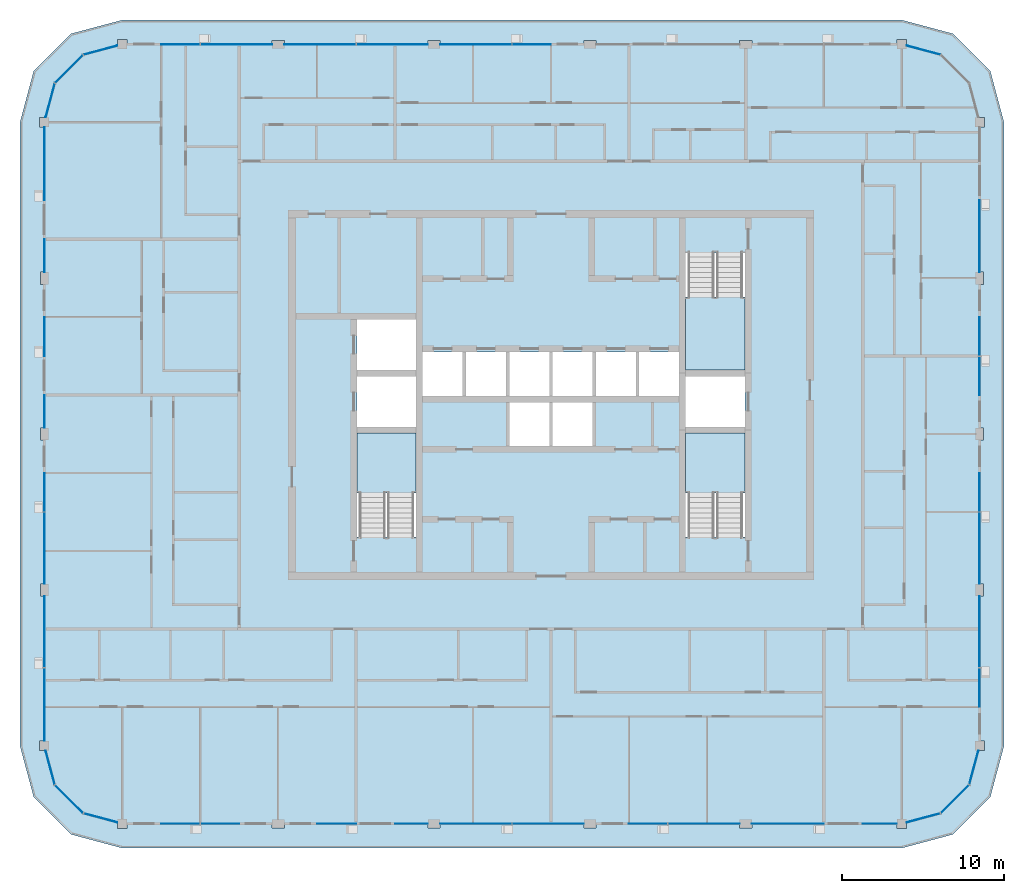
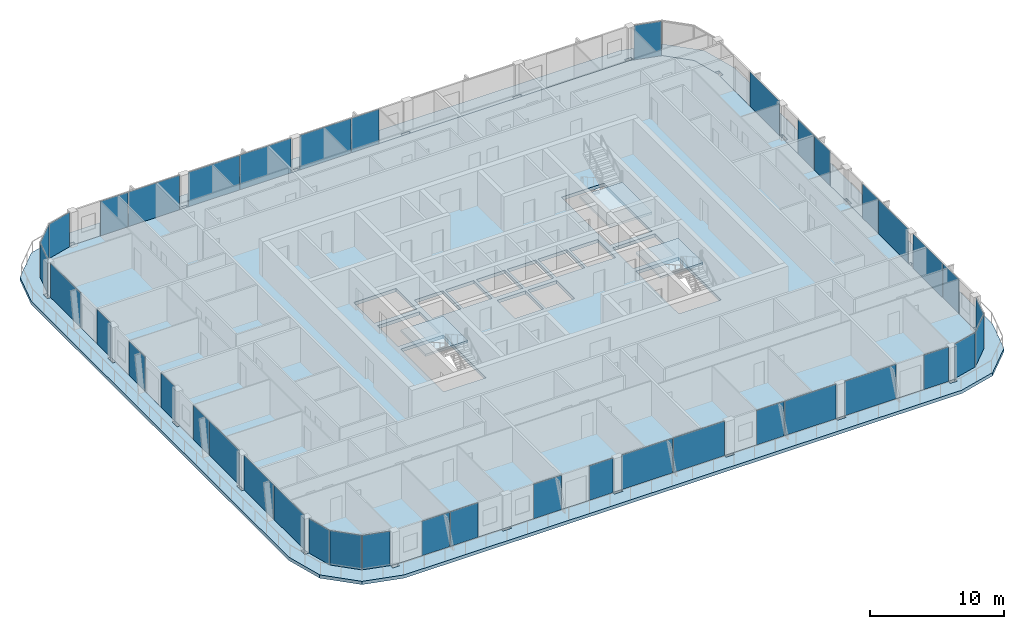
# One storey, part 7 of 21: 41 plates, 5 slabs, 23 elements without a shape of their own.
"""IFC4 building model written with IfcOpenShell, lengths in metres."""

from ifc_helpers import new_model, si_unit, direction, frame, origin, origin_2d, place, context, subcontext, project, spatial, polyline, rectangle, outline, extrude, material, layer, layer_set, type_object, element, aggregate, save


model = new_model("IFC4")

# Units and contexts
model_context = context("Model", 3, precision=1e-05, world=origin(), true_north=direction((0.0, 1.0)))
body_context = subcontext(model_context, "Body", "Model", "MODEL_VIEW")
ifc_project = project(units=[si_unit("LENGTHUNIT", "METRE"), si_unit("AREAUNIT", "SQUARE_METRE"), si_unit("VOLUMEUNIT", "CUBIC_METRE"), si_unit("PLANEANGLEUNIT", "RADIAN"), si_unit("MASSUNIT", "GRAM", prefix="KILO")], contexts=[model_context])

# Site, building, storey
site_placement = place(None, origin())
site = spatial("IfcSite", under=ifc_project, at=site_placement, CompositionType="ELEMENT")
building_placement = place(site_placement, origin())
building = spatial("IfcBuilding", under=site, at=building_placement, Name="Madar Terraces", CompositionType="ELEMENT")
storey_placement = place(building_placement, frame((0.0, 0.0, 272.10009765625)))
storey = spatial("IfcBuildingStorey", under=building, at=storey_placement, Name="L71", CompositionType="ELEMENT", Elevation=272.10009765625)

# Slabs
ifc_material_1 = material(Name="Concrete C50/60", Category="concrete")
ifc_layer_1 = layer(ifc_material_1, 0.300048828125)
ifc_layer_set_1 = layer_set([ifc_layer_1], Name="Balcony band 300")
slab_type_1 = type_object("IfcSlabType", Name="Balcony band 300", PredefinedType="FLOOR", material=ifc_layer_set_1)
slab_1_placement = place(storey_placement, frame((0.0, 0.0, -0.300048828125)))
element("IfcSlab", 1, at=slab_1_placement, inside=storey, type_object=slab_type_1, Name="Balcony band", PredefinedType="FLOOR", context=body_context, shape_type="SweptSolid", body=[
    extrude(outline(polyline([(4.800048828125, -1.5), (1.64990234375, -0.656005859375), (-0.656005859375, 1.64990234375), (-1.5, 4.800048828125), (-1.5, 43.199951171875), (-0.656005859375, 46.35009765625), (1.64990234375, 48.656005859375), (4.800048828125, 49.5), (52.800048828125, 49.5), (55.949951171875, 48.656005859375), (58.256103515625, 46.35009765625), (59.10009765625, 43.199951171875), (59.10009765625, 4.800048828125), (58.256103515625, 1.64990234375), (55.949951171875, -0.656005859375), (52.800048828125, -1.5), (4.800048828125, -1.5)]), holes=[polyline([(5.10009765625, -0.300048828125), (5.10009765625, 0.0), (14.02490234375, 0.0), (14.02490234375, -0.25), (14.77490234375, -0.25), (14.77490234375, 0.0), (23.625, 0.0), (23.625, -0.25), (24.375, -0.25), (24.375, 0.0), (33.22509765625, 0.0), (33.22509765625, -0.25), (33.97509765625, -0.25), (33.97509765625, 0.0), (42.824951171875, 0.0), (42.824951171875, -0.25), (43.574951171875, -0.25), (43.574951171875, 0.0), (52.5, 0.0), (52.5, -0.300048828125), (53.10009765625, -0.300048828125), (53.10009765625, 0.080322265625), (55.199951171875, 0.64306640625), (56.956787109375, 2.39990234375), (57.51953125, 4.5), (57.89990234375, 4.5), (57.89990234375, 5.10009765625), (57.60009765625, 5.10009765625), (57.60009765625, 14.02490234375), (57.85009765625, 14.02490234375), (57.85009765625, 14.77490234375), (57.60009765625, 14.77490234375), (57.60009765625, 23.625), (57.85009765625, 23.625), (57.85009765625, 24.375), (57.60009765625, 24.375), (57.60009765625, 33.22509765625), (57.85009765625, 33.22509765625), (57.85009765625, 33.97509765625), (57.60009765625, 33.97509765625), (57.60009765625, 42.89990234375), (57.89990234375, 42.89990234375), (57.89990234375, 43.5), (57.51953125, 43.5), (56.956787109375, 45.60009765625), (55.199951171875, 47.35693359375), (53.10009765625, 47.919677734375), (53.10009765625, 48.300048828125), (52.5, 48.300048828125), (52.5, 48.0), (43.574951171875, 48.0), (43.574951171875, 48.25), (42.824951171875, 48.25), (42.824951171875, 48.0), (33.97509765625, 48.0), (33.97509765625, 48.25), (33.22509765625, 48.25), (33.22509765625, 48.0), (24.375, 48.0), (24.375, 48.25), (23.625, 48.25), (23.625, 48.0), (14.77490234375, 48.0), (14.77490234375, 48.25), (14.02490234375, 48.25), (14.02490234375, 48.0), (5.10009765625, 48.0), (5.10009765625, 48.300048828125), (4.5, 48.300048828125), (4.5, 47.919677734375), (2.39990234375, 47.35693359375), (0.64306640625, 45.60009765625), (0.080322265625, 43.5), (-0.300048828125, 43.5), (-0.300048828125, 42.89990234375), (0.0, 42.89990234375), (0.0, 33.97509765625), (-0.25, 33.97509765625), (-0.25, 33.22509765625), (0.0, 33.22509765625), (0.0, 24.375), (-0.25, 24.375), (-0.25, 23.625), (0.0, 23.625), (0.0, 14.77490234375), (-0.25, 14.77490234375), (-0.25, 14.02490234375), (0.0, 14.02490234375), (0.0, 5.10009765625), (-0.300048828125, 5.10009765625), (-0.300048828125, 4.5), (0.080322265625, 4.5), (0.64306640625, 2.39990234375), (2.39990234375, 0.64306640625), (4.5, 0.080322265625), (4.5, -0.300048828125), (5.10009765625, -0.300048828125)])]), origin(), (0.0, 0.0, 1.0), 0.300048828125),
])
ifc_material_2 = material(Name="Concrete C50/60", Category="concrete")
ifc_layer_2 = layer(ifc_material_2, 0.300048828125)
ifc_layer_set_2 = layer_set([ifc_layer_2], Name="FS2 PT flat slab 300")
slab_type_2 = type_object("IfcSlabType", Name="FS2 PT flat slab 300", PredefinedType="FLOOR", material=ifc_layer_set_2)
slab_2_placement = place(storey_placement, frame((0.0, 0.0, -0.300048828125)))
element("IfcSlab", 2, at=slab_2_placement, inside=storey, type_object=slab_type_2, Name="Floor slab L71 (1)", PredefinedType="FLOOR", context=body_context, shape_type="SweptSolid", body=[
    extrude(outline(polyline([(52.800048828125, 0.0), (55.199951171875, 0.64306640625), (56.95703125, 2.39990234375), (57.60009765625, 4.800048828125), (57.60009765625, 43.199951171875), (56.95703125, 45.60009765625), (55.199951171875, 47.35693359375), (52.800048828125, 48.0), (4.800048828125, 48.0), (2.39990234375, 47.35693359375), (0.64306640625, 45.60009765625), (0.0, 43.199951171875), (0.0, 4.800048828125), (0.64306640625, 2.39990234375), (2.39990234375, 0.64306640625), (4.800048828125, 0.0), (52.800048828125, 0.0)]), holes=[polyline([(22.89990234375, 17.64990234375), (19.25, 17.64990234375), (19.25, 24.050048828125), (22.89990234375, 24.050048828125), (22.89990234375, 17.64990234375)]), polyline([(28.63330078125, 23.25), (28.63330078125, 25.949951171875), (31.10009765625, 25.949951171875), (31.10009765625, 23.25), (28.63330078125, 23.25)]), polyline([(19.25, 24.449951171875), (19.25, 27.550048828125), (22.89990234375, 27.550048828125), (22.89990234375, 24.449951171875), (19.25, 24.449951171875)]), polyline([(23.300048828125, 26.35009765625), (23.300048828125, 29.050048828125), (25.7666015625, 29.050048828125), (25.7666015625, 26.35009765625), (23.300048828125, 26.35009765625)]), polyline([(25.966552734375, 26.35009765625), (25.966552734375, 29.050048828125), (28.433349609375, 29.050048828125), (28.433349609375, 26.35009765625), (25.966552734375, 26.35009765625)]), polyline([(28.63330078125, 26.35009765625), (28.63330078125, 29.050048828125), (31.10009765625, 29.050048828125), (31.10009765625, 26.35009765625), (28.63330078125, 26.35009765625)]), polyline([(19.25, 27.949951171875), (19.25, 31.050048828125), (22.89990234375, 31.050048828125), (22.89990234375, 27.949951171875), (19.25, 27.949951171875)]), polyline([(43.14990234375, 17.64990234375), (39.5, 17.64990234375), (39.5, 24.050048828125), (43.14990234375, 24.050048828125), (43.14990234375, 17.64990234375)]), polyline([(31.300048828125, 23.25), (31.300048828125, 25.949951171875), (33.7666015625, 25.949951171875), (33.7666015625, 23.25), (31.300048828125, 23.25)]), polyline([(39.5, 24.449951171875), (39.5, 27.550048828125), (43.14990234375, 27.550048828125), (43.14990234375, 24.449951171875), (39.5, 24.449951171875)]), polyline([(31.300048828125, 26.35009765625), (31.300048828125, 29.050048828125), (33.7666015625, 29.050048828125), (33.7666015625, 26.35009765625), (31.300048828125, 26.35009765625)]), polyline([(33.966552734375, 26.35009765625), (33.966552734375, 29.050048828125), (36.433349609375, 29.050048828125), (36.433349609375, 26.35009765625), (33.966552734375, 26.35009765625)]), polyline([(36.63330078125, 26.35009765625), (36.63330078125, 29.050048828125), (39.10009765625, 29.050048828125), (39.10009765625, 26.35009765625), (36.63330078125, 26.35009765625)]), polyline([(39.5, 27.949951171875), (39.5, 35.14990234375), (43.14990234375, 35.14990234375), (43.14990234375, 27.949951171875), (39.5, 27.949951171875)])]), origin(), (0.0, 0.0, 1.0), 0.300048828125),
])

# Curtain wall, plates
ifc_material_3 = material(Name="Glass, ceramic frit dark grey, with black aluminium frame", Category="aluminium")
ifc_layer_3 = layer(ifc_material_3, 0.199951171875)
ifc_layer_set_3 = layer_set([ifc_layer_3], Name="Facade curtain wall, fritted glass")
curtain_wall_type = type_object("IfcCurtainWallType", Name="Facade curtain wall, fritted glass", PredefinedType="NOTDEFINED", material=ifc_layer_set_3)
curtain_wall_1_placement = place(storey_placement, origin())
curtain_wall_1 = element("IfcCurtainWall", 3, at=curtain_wall_1_placement, inside=storey, type_object=curtain_wall_type, Name="Outer skin curtain wall south bay 1", PredefinedType="NOTDEFINED")
ifc_material_4 = material(Name="Glass, ceramic frit dark grey", Category="glass")
ifc_layer_4 = layer(ifc_material_4, 0.028076171875)
ifc_layer_set_4 = layer_set([ifc_layer_4], Name="Facade glass panel 28")
plate_type = type_object("IfcPlateType", Name="Facade glass panel 28", PredefinedType="CURTAIN_PANEL", material=ifc_layer_set_4)
plate_1_placement = place(storey_placement, frame((8.385009765625, 0.0, 0.0), z_axis=(0.0, 0.0, 1.0), x_axis=(1.0, 0.0, 0.0)))
plate_1 = element("IfcPlate", 4, at=plate_1_placement, type_object=plate_type, Name="Panel 1", PredefinedType="CURTAIN_PANEL", context=body_context, shape_type="SweptSolid", body=[
    extrude(rectangle(XDim=2.3701171875, YDim=0.028076171875, at=origin_2d()), origin(), (0.0, 0.0, 1.0), 3.139892578125),
])
plate_2_placement = place(storey_placement, frame((10.81494140625, 0.0, 0.0), z_axis=(0.0, 0.0, 1.0), x_axis=(1.0, 0.0, 0.0)))
plate_2 = element("IfcPlate", 5, at=plate_2_placement, type_object=plate_type, Name="Panel 2", PredefinedType="CURTAIN_PANEL", context=body_context, shape_type="SweptSolid", body=[
    extrude(rectangle(XDim=2.3701171875, YDim=0.028076171875, at=origin_2d()), origin(), (0.0, 0.0, 1.0), 3.139892578125),
])
aggregate(curtain_wall_1, [plate_1, plate_2])

curtain_wall_2_placement = place(storey_placement, origin())
curtain_wall_2 = element("IfcCurtainWall", 6, at=curtain_wall_2_placement, inside=storey, type_object=curtain_wall_type, Name="Outer skin curtain wall south bay 2", PredefinedType="NOTDEFINED")
plate_3_placement = place(storey_placement, frame((18.0, 0.0, 0.0), z_axis=(0.0, 0.0, 1.0), x_axis=(1.0, 0.0, 0.0)))
plate_3 = element("IfcPlate", 7, at=plate_3_placement, type_object=plate_type, Name="Panel 1", PredefinedType="CURTAIN_PANEL", context=body_context, shape_type="SweptSolid", body=[
    extrude(rectangle(XDim=2.39990234375, YDim=0.028076171875, at=origin_2d()), origin(), (0.0, 0.0, 1.0), 3.139892578125),
])
plate_4_placement = place(storey_placement, frame((22.612548828125, 0.0, 0.0), z_axis=(0.0, 0.0, 1.0), x_axis=(1.0, 0.0, 0.0)))
plate_4 = element("IfcPlate", 8, at=plate_4_placement, type_object=plate_type, Name="Panel 2", PredefinedType="CURTAIN_PANEL", context=body_context, shape_type="SweptSolid", body=[
    extrude(rectangle(XDim=2.02490234375, YDim=0.028076171875, at=origin_2d()), origin(), (0.0, 0.0, 1.0), 3.139892578125),
])
aggregate(curtain_wall_2, [plate_3, plate_4])

curtain_wall_3_placement = place(storey_placement, origin())
curtain_wall_3 = element("IfcCurtainWall", 9, at=curtain_wall_3_placement, inside=storey, type_object=curtain_wall_type, Name="Outer skin curtain wall south bay 3", PredefinedType="NOTDEFINED")
plate_5_placement = place(storey_placement, frame((26.572509765625, 0.0, 0.0), z_axis=(0.0, 0.0, 1.0), x_axis=(1.0, 0.0, 0.0)))
plate_5 = element("IfcPlate", 10, at=plate_5_placement, type_object=plate_type, Name="Panel 1", PredefinedType="CURTAIN_PANEL", context=body_context, shape_type="SweptSolid", body=[
    extrude(rectangle(XDim=4.39501953125, YDim=0.028076171875, at=origin_2d()), origin(), (0.0, 0.0, 1.0), 3.139892578125),
])
plate_6_placement = place(storey_placement, frame((31.027587890625, 0.0, 0.0), z_axis=(0.0, 0.0, 1.0), x_axis=(1.0, 0.0, 0.0)))
plate_6 = element("IfcPlate", 11, at=plate_6_placement, type_object=plate_type, Name="Panel 2", PredefinedType="CURTAIN_PANEL", context=body_context, shape_type="SweptSolid", body=[
    extrude(rectangle(XDim=4.39501953125, YDim=0.028076171875, at=origin_2d()), origin(), (0.0, 0.0, 1.0), 3.139892578125),
])
aggregate(curtain_wall_3, [plate_5, plate_6])

curtain_wall_4_placement = place(storey_placement, origin())
curtain_wall_4 = element("IfcCurtainWall", 12, at=curtain_wall_4_placement, inside=storey, type_object=curtain_wall_type, Name="Outer skin curtain wall south bay 4", PredefinedType="NOTDEFINED")
plate_7_placement = place(storey_placement, frame((37.18505859375, 0.0, 0.0), z_axis=(0.0, 0.0, 1.0), x_axis=(1.0, 0.0, 0.0)))
plate_7 = element("IfcPlate", 13, at=plate_7_placement, type_object=plate_type, Name="Panel 1", PredefinedType="CURTAIN_PANEL", context=body_context, shape_type="SweptSolid", body=[
    extrude(rectangle(XDim=2.3701171875, YDim=0.028076171875, at=origin_2d()), origin(), (0.0, 0.0, 1.0), 3.139892578125),
])
plate_8_placement = place(storey_placement, frame((40.62744140625, 0.0, 0.0), z_axis=(0.0, 0.0, 1.0), x_axis=(1.0, 0.0, 0.0)))
plate_8 = element("IfcPlate", 14, at=plate_8_placement, type_object=plate_type, Name="Panel 2", PredefinedType="CURTAIN_PANEL", context=body_context, shape_type="SweptSolid", body=[
    extrude(rectangle(XDim=4.39501953125, YDim=0.028076171875, at=origin_2d()), origin(), (0.0, 0.0, 1.0), 3.139892578125),
])
aggregate(curtain_wall_4, [plate_7, plate_8])

curtain_wall_5_placement = place(storey_placement, origin())
curtain_wall_5 = element("IfcCurtainWall", 15, at=curtain_wall_5_placement, inside=storey, type_object=curtain_wall_type, Name="Outer skin curtain wall south bay 5", PredefinedType="NOTDEFINED")
plate_9_placement = place(storey_placement, frame((45.78759765625, 0.0, 0.0), z_axis=(0.0, 0.0, 1.0), x_axis=(1.0, 0.0, 0.0)))
plate_9 = element("IfcPlate", 16, at=plate_9_placement, type_object=plate_type, Name="Panel 1", PredefinedType="CURTAIN_PANEL", context=body_context, shape_type="SweptSolid", body=[
    extrude(rectangle(XDim=4.425048828125, YDim=0.028076171875, at=origin_2d()), origin(), (0.0, 0.0, 1.0), 3.139892578125),
])
plate_10_placement = place(storey_placement, frame((51.449951171875, 0.0, 0.0), z_axis=(0.0, 0.0, 1.0), x_axis=(1.0, 0.0, 0.0)))
plate_10 = element("IfcPlate", 17, at=plate_10_placement, type_object=plate_type, Name="Panel 2", PredefinedType="CURTAIN_PANEL", context=body_context, shape_type="SweptSolid", body=[
    extrude(rectangle(XDim=2.10009765625, YDim=0.028076171875, at=origin_2d()), origin(), (0.0, 0.0, 1.0), 3.139892578125),
])
aggregate(curtain_wall_5, [plate_9, plate_10])

curtain_wall_6_placement = place(storey_placement, origin())
curtain_wall_6 = element("IfcCurtainWall", 18, at=curtain_wall_6_placement, inside=storey, type_object=curtain_wall_type, Name="Outer skin curtain wall east bay 1", PredefinedType="NOTDEFINED")
plate_11_placement = place(storey_placement, frame((57.60009765625, 8.385009765625, 0.0), z_axis=(0.0, 0.0, 1.0), x_axis=(0.0, 1.0, 0.0)))
plate_11 = element("IfcPlate", 19, at=plate_11_placement, type_object=plate_type, Name="Panel 1", PredefinedType="CURTAIN_PANEL", context=body_context, shape_type="SweptSolid", body=[
    extrude(rectangle(XDim=2.3701171875, YDim=0.028076171875, at=origin_2d()), origin(), (0.0, 0.0, 1.0), 3.139892578125),
])
plate_12_placement = place(storey_placement, frame((57.60009765625, 11.827392578125, 0.0), z_axis=(0.0, 0.0, 1.0), x_axis=(0.0, 1.0, 0.0)))
plate_12 = element("IfcPlate", 20, at=plate_12_placement, type_object=plate_type, Name="Panel 2", PredefinedType="CURTAIN_PANEL", context=body_context, shape_type="SweptSolid", body=[
    extrude(rectangle(XDim=4.39501953125, YDim=0.028076171875, at=origin_2d()), origin(), (0.0, 0.0, 1.0), 3.139892578125),
])
aggregate(curtain_wall_6, [plate_11, plate_12])

curtain_wall_7_placement = place(storey_placement, origin())
curtain_wall_7 = element("IfcCurtainWall", 21, at=curtain_wall_7_placement, inside=storey, type_object=curtain_wall_type, Name="Outer skin curtain wall east bay 2", PredefinedType="NOTDEFINED")
plate_13_placement = place(storey_placement, frame((57.60009765625, 16.972412109375, 0.0), z_axis=(0.0, 0.0, 1.0), x_axis=(0.0, 1.0, 0.0)))
plate_13 = element("IfcPlate", 22, at=plate_13_placement, type_object=plate_type, Name="Panel 1", PredefinedType="CURTAIN_PANEL", context=body_context, shape_type="SweptSolid", body=[
    extrude(rectangle(XDim=4.39501953125, YDim=0.028076171875, at=origin_2d()), origin(), (0.0, 0.0, 1.0), 3.139892578125),
])
plate_14_placement = place(storey_placement, frame((57.60009765625, 20.4150390625, 0.0), z_axis=(0.0, 0.0, 1.0), x_axis=(0.0, 1.0, 0.0)))
plate_14 = element("IfcPlate", 23, at=plate_14_placement, type_object=plate_type, Name="Panel 2", PredefinedType="CURTAIN_PANEL", context=body_context, shape_type="SweptSolid", body=[
    extrude(rectangle(XDim=2.3701171875, YDim=0.028076171875, at=origin_2d()), origin(), (0.0, 0.0, 1.0), 3.139892578125),
])
aggregate(curtain_wall_7, [plate_13, plate_14])

curtain_wall_8_placement = place(storey_placement, origin())
curtain_wall_8 = element("IfcCurtainWall", 24, at=curtain_wall_8_placement, inside=storey, type_object=curtain_wall_type, Name="Outer skin curtain wall east bay 3", PredefinedType="NOTDEFINED")
plate_15_placement = place(storey_placement, frame((57.60009765625, 27.5849609375, 0.0), z_axis=(0.0, 0.0, 1.0), x_axis=(0.0, 1.0, 0.0)))
plate_15 = element("IfcPlate", 25, at=plate_15_placement, type_object=plate_type, Name="Panel 1", PredefinedType="CURTAIN_PANEL", context=body_context, shape_type="SweptSolid", body=[
    extrude(rectangle(XDim=2.3701171875, YDim=0.028076171875, at=origin_2d()), origin(), (0.0, 0.0, 1.0), 3.139892578125),
])
plate_16_placement = place(storey_placement, frame((57.60009765625, 30.014892578125, 0.0), z_axis=(0.0, 0.0, 1.0), x_axis=(0.0, 1.0, 0.0)))
plate_16 = element("IfcPlate", 26, at=plate_16_placement, type_object=plate_type, Name="Panel 2", PredefinedType="CURTAIN_PANEL", context=body_context, shape_type="SweptSolid", body=[
    extrude(rectangle(XDim=2.3701171875, YDim=0.028076171875, at=origin_2d()), origin(), (0.0, 0.0, 1.0), 3.139892578125),
])
aggregate(curtain_wall_8, [plate_15, plate_16])

# Curtain wall, plate
curtain_wall_9_placement = place(storey_placement, origin())
curtain_wall_9 = element("IfcCurtainWall", 27, at=curtain_wall_9_placement, inside=storey, type_object=curtain_wall_type, Name="Outer skin curtain wall east bay 4", PredefinedType="NOTDEFINED")
plate_17_placement = place(storey_placement, frame((57.60009765625, 36.1875, 0.0), z_axis=(0.0, 0.0, 1.0), x_axis=(0.0, 1.0, 0.0)))
plate_17 = element("IfcPlate", 28, at=plate_17_placement, type_object=plate_type, Name="Panel 1", PredefinedType="CURTAIN_PANEL", context=body_context, shape_type="SweptSolid", body=[
    extrude(rectangle(XDim=4.425048828125, YDim=0.028076171875, at=origin_2d()), origin(), (0.0, 0.0, 1.0), 3.139892578125),
])
aggregate(curtain_wall_9, [plate_17])

# Curtain wall, plates
curtain_wall_10_placement = place(storey_placement, origin())
curtain_wall_10 = element("IfcCurtainWall", 29, at=curtain_wall_10_placement, inside=storey, type_object=curtain_wall_type, Name="Outer skin curtain wall north bay 3", PredefinedType="NOTDEFINED")
plate_18_placement = place(storey_placement, frame((30.014892578125, 48.0, 0.0), z_axis=(0.0, 0.0, 1.0), x_axis=(-1.0, 0.0, 0.0)))
plate_18 = element("IfcPlate", 30, at=plate_18_placement, type_object=plate_type, Name="Panel 1", PredefinedType="CURTAIN_PANEL", context=body_context, shape_type="SweptSolid", body=[
    extrude(rectangle(XDim=2.3701171875, YDim=0.028076171875, at=origin_2d()), origin(), (0.0, 0.0, 1.0), 3.139892578125),
])
plate_19_placement = place(storey_placement, frame((26.572509765625, 48.0, 0.0), z_axis=(0.0, 0.0, 1.0), x_axis=(-1.0, 0.0, 0.0)))
plate_19 = element("IfcPlate", 31, at=plate_19_placement, type_object=plate_type, Name="Panel 2", PredefinedType="CURTAIN_PANEL", context=body_context, shape_type="SweptSolid", body=[
    extrude(rectangle(XDim=4.39501953125, YDim=0.028076171875, at=origin_2d()), origin(), (0.0, 0.0, 1.0), 3.139892578125),
])
aggregate(curtain_wall_10, [plate_18, plate_19])

curtain_wall_11_placement = place(storey_placement, origin())
curtain_wall_11 = element("IfcCurtainWall", 32, at=curtain_wall_11_placement, inside=storey, type_object=curtain_wall_type, Name="Outer skin curtain wall north bay 4", PredefinedType="NOTDEFINED")
plate_20_placement = place(storey_placement, frame((21.427490234375, 48.0, 0.0), z_axis=(0.0, 0.0, 1.0), x_axis=(-1.0, 0.0, 0.0)))
plate_20 = element("IfcPlate", 33, at=plate_20_placement, type_object=plate_type, Name="Panel 1", PredefinedType="CURTAIN_PANEL", context=body_context, shape_type="SweptSolid", body=[
    extrude(rectangle(XDim=4.39501953125, YDim=0.028076171875, at=origin_2d()), origin(), (0.0, 0.0, 1.0), 3.139892578125),
])
plate_21_placement = place(storey_placement, frame((16.972412109375, 48.0, 0.0), z_axis=(0.0, 0.0, 1.0), x_axis=(-1.0, 0.0, 0.0)))
plate_21 = element("IfcPlate", 34, at=plate_21_placement, type_object=plate_type, Name="Panel 2", PredefinedType="CURTAIN_PANEL", context=body_context, shape_type="SweptSolid", body=[
    extrude(rectangle(XDim=4.39501953125, YDim=0.028076171875, at=origin_2d()), origin(), (0.0, 0.0, 1.0), 3.139892578125),
])
aggregate(curtain_wall_11, [plate_20, plate_21])

curtain_wall_12_placement = place(storey_placement, origin())
curtain_wall_12 = element("IfcCurtainWall", 35, at=curtain_wall_12_placement, inside=storey, type_object=curtain_wall_type, Name="Outer skin curtain wall north bay 5", PredefinedType="NOTDEFINED")
plate_22_placement = place(storey_placement, frame((11.827392578125, 48.0, 0.0), z_axis=(0.0, 0.0, 1.0), x_axis=(-1.0, 0.0, 0.0)))
plate_22 = element("IfcPlate", 36, at=plate_22_placement, type_object=plate_type, Name="Panel 1", PredefinedType="CURTAIN_PANEL", context=body_context, shape_type="SweptSolid", body=[
    extrude(rectangle(XDim=4.39501953125, YDim=0.028076171875, at=origin_2d()), origin(), (0.0, 0.0, 1.0), 3.139892578125),
])
plate_23_placement = place(storey_placement, frame((8.385009765625, 48.0, 0.0), z_axis=(0.0, 0.0, 1.0), x_axis=(-1.0, 0.0, 0.0)))
plate_23 = element("IfcPlate", 37, at=plate_23_placement, type_object=plate_type, Name="Panel 2", PredefinedType="CURTAIN_PANEL", context=body_context, shape_type="SweptSolid", body=[
    extrude(rectangle(XDim=2.3701171875, YDim=0.028076171875, at=origin_2d()), origin(), (0.0, 0.0, 1.0), 3.139892578125),
])
aggregate(curtain_wall_12, [plate_22, plate_23])

curtain_wall_13_placement = place(storey_placement, origin())
curtain_wall_13 = element("IfcCurtainWall", 38, at=curtain_wall_13_placement, inside=storey, type_object=curtain_wall_type, Name="Outer skin curtain wall west bay 1", PredefinedType="NOTDEFINED")
plate_24_placement = place(storey_placement, frame((0.0, 40.64990234375, 0.0), z_axis=(0.0, 0.0, 1.0), x_axis=(0.0, -1.0, 0.0)))
plate_24 = element("IfcPlate", 39, at=plate_24_placement, type_object=plate_type, Name="Panel 1", PredefinedType="CURTAIN_PANEL", context=body_context, shape_type="SweptSolid", body=[
    extrude(rectangle(XDim=4.5, YDim=0.028076171875, at=origin_2d()), origin(), (0.0, 0.0, 1.0), 3.139892578125),
])
plate_25_placement = place(storey_placement, frame((0.0, 34.987548828125, 0.0), z_axis=(0.0, 0.0, 1.0), x_axis=(0.0, -1.0, 0.0)))
plate_25 = element("IfcPlate", 40, at=plate_25_placement, type_object=plate_type, Name="Panel 2", PredefinedType="CURTAIN_PANEL", context=body_context, shape_type="SweptSolid", body=[
    extrude(rectangle(XDim=2.02490234375, YDim=0.028076171875, at=origin_2d()), origin(), (0.0, 0.0, 1.0), 3.139892578125),
])
aggregate(curtain_wall_13, [plate_24, plate_25])

curtain_wall_14_placement = place(storey_placement, origin())
curtain_wall_14 = element("IfcCurtainWall", 41, at=curtain_wall_14_placement, inside=storey, type_object=curtain_wall_type, Name="Outer skin curtain wall west bay 2", PredefinedType="NOTDEFINED")
plate_26_placement = place(storey_placement, frame((0.0, 30.0, 0.0), z_axis=(0.0, 0.0, 1.0), x_axis=(0.0, -1.0, 0.0)))
plate_26 = element("IfcPlate", 42, at=plate_26_placement, type_object=plate_type, Name="Panel 1", PredefinedType="CURTAIN_PANEL", context=body_context, shape_type="SweptSolid", body=[
    extrude(rectangle(XDim=2.39990234375, YDim=0.028076171875, at=origin_2d()), origin(), (0.0, 0.0, 1.0), 3.139892578125),
])
plate_27_placement = place(storey_placement, frame((0.0, 25.387451171875, 0.0), z_axis=(0.0, 0.0, 1.0), x_axis=(0.0, -1.0, 0.0)))
plate_27 = element("IfcPlate", 43, at=plate_27_placement, type_object=plate_type, Name="Panel 2", PredefinedType="CURTAIN_PANEL", context=body_context, shape_type="SweptSolid", body=[
    extrude(rectangle(XDim=2.02490234375, YDim=0.028076171875, at=origin_2d()), origin(), (0.0, 0.0, 1.0), 3.139892578125),
])
aggregate(curtain_wall_14, [plate_26, plate_27])

curtain_wall_15_placement = place(storey_placement, origin())
curtain_wall_15 = element("IfcCurtainWall", 44, at=curtain_wall_15_placement, inside=storey, type_object=curtain_wall_type, Name="Outer skin curtain wall west bay 3", PredefinedType="NOTDEFINED")
plate_28_placement = place(storey_placement, frame((0.0, 20.4150390625, 0.0), z_axis=(0.0, 0.0, 1.0), x_axis=(0.0, -1.0, 0.0)))
plate_28 = element("IfcPlate", 45, at=plate_28_placement, type_object=plate_type, Name="Panel 1", PredefinedType="CURTAIN_PANEL", context=body_context, shape_type="SweptSolid", body=[
    extrude(rectangle(XDim=2.3701171875, YDim=0.028076171875, at=origin_2d()), origin(), (0.0, 0.0, 1.0), 3.139892578125),
])
plate_29_placement = place(storey_placement, frame((0.0, 16.972412109375, 0.0), z_axis=(0.0, 0.0, 1.0), x_axis=(0.0, -1.0, 0.0)))
plate_29 = element("IfcPlate", 46, at=plate_29_placement, type_object=plate_type, Name="Panel 2", PredefinedType="CURTAIN_PANEL", context=body_context, shape_type="SweptSolid", body=[
    extrude(rectangle(XDim=4.39501953125, YDim=0.028076171875, at=origin_2d()), origin(), (0.0, 0.0, 1.0), 3.139892578125),
])
aggregate(curtain_wall_15, [plate_28, plate_29])

curtain_wall_16_placement = place(storey_placement, origin())
curtain_wall_16 = element("IfcCurtainWall", 47, at=curtain_wall_16_placement, inside=storey, type_object=curtain_wall_type, Name="Outer skin curtain wall west bay 4", PredefinedType="NOTDEFINED")
plate_30_placement = place(storey_placement, frame((0.0, 11.827392578125, 0.0), z_axis=(0.0, 0.0, 1.0), x_axis=(0.0, -1.0, 0.0)))
plate_30 = element("IfcPlate", 48, at=plate_30_placement, type_object=plate_type, Name="Panel 1", PredefinedType="CURTAIN_PANEL", context=body_context, shape_type="SweptSolid", body=[
    extrude(rectangle(XDim=4.39501953125, YDim=0.028076171875, at=origin_2d()), origin(), (0.0, 0.0, 1.0), 3.139892578125),
])
plate_31_placement = place(storey_placement, frame((0.0, 7.3349609375, 0.0), z_axis=(0.0, 0.0, 1.0), x_axis=(0.0, -1.0, 0.0)))
plate_31 = element("IfcPlate", 49, at=plate_31_placement, type_object=plate_type, Name="Panel 2", PredefinedType="CURTAIN_PANEL", context=body_context, shape_type="SweptSolid", body=[
    extrude(rectangle(XDim=4.469970703125, YDim=0.028076171875, at=origin_2d()), origin(), (0.0, 0.0, 1.0), 3.139892578125),
])
aggregate(curtain_wall_16, [plate_30, plate_31])

curtain_wall_17_placement = place(storey_placement, origin())
curtain_wall_17 = element("IfcCurtainWall", 50, at=curtain_wall_17_placement, inside=storey, type_object=curtain_wall_type, Name="Outer skin curtain wall south-east corner", PredefinedType="NOTDEFINED")
plate_32_placement = place(storey_placement, frame((54.135498046875, 0.35791015625, 0.0), z_axis=(0.0, 0.0, 1.0), x_axis=(0.965925832509, 0.258819021888, 0.0)))
plate_32 = element("IfcPlate", 51, at=plate_32_placement, type_object=plate_type, Name="Panel 1", PredefinedType="CURTAIN_PANEL", context=body_context, shape_type="SweptSolid", body=[
    extrude(rectangle(XDim=2.14404296875, YDim=0.028076171875, at=origin_2d()), origin(), (0.0, 0.0, 1.0), 3.139892578125),
])
plate_33_placement = place(storey_placement, frame((56.078369140625, 1.521484375, 0.0), z_axis=(0.0, 0.0, 1.0), x_axis=(0.707106781187, 0.707106781187, 0.0)))
plate_33 = element("IfcPlate", 52, at=plate_33_placement, type_object=plate_type, Name="Panel 2", PredefinedType="CURTAIN_PANEL", context=body_context, shape_type="SweptSolid", body=[
    extrude(rectangle(XDim=2.424560546875, YDim=0.028076171875, at=origin_2d()), origin(), (0.0, 0.0, 1.0), 3.139892578125),
])
plate_34_placement = place(storey_placement, frame((57.2421875, 3.464599609375, 0.0), z_axis=(0.0, 0.0, 1.0), x_axis=(0.258819021888, 0.965925832509, 0.0)))
plate_34 = element("IfcPlate", 53, at=plate_34_placement, type_object=plate_type, Name="Panel 3", PredefinedType="CURTAIN_PANEL", context=body_context, shape_type="SweptSolid", body=[
    extrude(rectangle(XDim=2.14404296875, YDim=0.028076171875, at=origin_2d()), origin(), (0.0, 0.0, 1.0), 3.139892578125),
])
aggregate(curtain_wall_17, [plate_32, plate_33, plate_34])

# Curtain wall, plate
curtain_wall_18_placement = place(storey_placement, origin())
curtain_wall_18 = element("IfcCurtainWall", 54, at=curtain_wall_18_placement, inside=storey, type_object=curtain_wall_type, Name="Outer skin curtain wall north-east corner", PredefinedType="NOTDEFINED")
plate_35_placement = place(storey_placement, frame((54.135498046875, 47.64208984375, 0.0), z_axis=(0.0, 0.0, 1.0), x_axis=(-0.965925832509, 0.258819021888, 0.0)))
plate_35 = element("IfcPlate", 55, at=plate_35_placement, type_object=plate_type, Name="Panel 3", PredefinedType="CURTAIN_PANEL", context=body_context, shape_type="SweptSolid", body=[
    extrude(rectangle(XDim=2.14404296875, YDim=0.028076171875, at=origin_2d()), origin(), (0.0, 0.0, 1.0), 3.139892578125),
])
aggregate(curtain_wall_18, [plate_35])

# Curtain wall, plates
curtain_wall_19_placement = place(storey_placement, origin())
curtain_wall_19 = element("IfcCurtainWall", 56, at=curtain_wall_19_placement, inside=storey, type_object=curtain_wall_type, Name="Outer skin curtain wall north-west corner", PredefinedType="NOTDEFINED")
plate_36_placement = place(storey_placement, frame((3.464599609375, 47.64208984375, 0.0), z_axis=(0.0, 0.0, 1.0), x_axis=(-0.965925832509, -0.258819021888, 0.0)))
plate_36 = element("IfcPlate", 57, at=plate_36_placement, type_object=plate_type, Name="Panel 1", PredefinedType="CURTAIN_PANEL", context=body_context, shape_type="SweptSolid", body=[
    extrude(rectangle(XDim=2.14404296875, YDim=0.028076171875, at=origin_2d()), origin(), (0.0, 0.0, 1.0), 3.139892578125),
])
plate_37_placement = place(storey_placement, frame((1.521484375, 46.478515625, 0.0), z_axis=(0.0, 0.0, 1.0), x_axis=(-0.707106781187, -0.707106781187, 0.0)))
plate_37 = element("IfcPlate", 58, at=plate_37_placement, type_object=plate_type, Name="Panel 2", PredefinedType="CURTAIN_PANEL", context=body_context, shape_type="SweptSolid", body=[
    extrude(rectangle(XDim=2.424560546875, YDim=0.028076171875, at=origin_2d()), origin(), (0.0, 0.0, 1.0), 3.139892578125),
])
plate_38_placement = place(storey_placement, frame((0.35791015625, 44.535400390625, 0.0), z_axis=(0.0, 0.0, 1.0), x_axis=(-0.258819021888, -0.965925832509, 0.0)))
plate_38 = element("IfcPlate", 59, at=plate_38_placement, type_object=plate_type, Name="Panel 3", PredefinedType="CURTAIN_PANEL", context=body_context, shape_type="SweptSolid", body=[
    extrude(rectangle(XDim=2.14404296875, YDim=0.028076171875, at=origin_2d()), origin(), (0.0, 0.0, 1.0), 3.139892578125),
])
aggregate(curtain_wall_19, [plate_36, plate_37, plate_38])

curtain_wall_20_placement = place(storey_placement, origin())
curtain_wall_20 = element("IfcCurtainWall", 60, at=curtain_wall_20_placement, inside=storey, type_object=curtain_wall_type, Name="Outer skin curtain wall south-west corner", PredefinedType="NOTDEFINED")
plate_39_placement = place(storey_placement, frame((0.35791015625, 3.464599609375, 0.0), z_axis=(0.0, 0.0, 1.0), x_axis=(0.258819021888, -0.965925832509, 0.0)))
plate_39 = element("IfcPlate", 61, at=plate_39_placement, type_object=plate_type, Name="Panel 1", PredefinedType="CURTAIN_PANEL", context=body_context, shape_type="SweptSolid", body=[
    extrude(rectangle(XDim=2.14404296875, YDim=0.028076171875, at=origin_2d()), origin(), (0.0, 0.0, 1.0), 3.139892578125),
])
plate_40_placement = place(storey_placement, frame((1.521484375, 1.521484375, 0.0), z_axis=(0.0, 0.0, 1.0), x_axis=(0.707106781187, -0.707106781187, 0.0)))
plate_40 = element("IfcPlate", 62, at=plate_40_placement, type_object=plate_type, Name="Panel 2", PredefinedType="CURTAIN_PANEL", context=body_context, shape_type="SweptSolid", body=[
    extrude(rectangle(XDim=2.424560546875, YDim=0.028076171875, at=origin_2d()), origin(), (0.0, 0.0, 1.0), 3.139892578125),
])
plate_41_placement = place(storey_placement, frame((3.464599609375, 0.35791015625, 0.0), z_axis=(0.0, 0.0, 1.0), x_axis=(0.965925832509, -0.258819021888, 0.0)))
plate_41 = element("IfcPlate", 63, at=plate_41_placement, type_object=plate_type, Name="Panel 3", PredefinedType="CURTAIN_PANEL", context=body_context, shape_type="SweptSolid", body=[
    extrude(rectangle(XDim=2.14404296875, YDim=0.028076171875, at=origin_2d()), origin(), (0.0, 0.0, 1.0), 3.139892578125),
])
aggregate(curtain_wall_20, [plate_39, plate_40, plate_41])

# Stair, slab
ifc_material_5 = material(Name="Concrete C50/60", Category="concrete")
stair_type_1 = type_object("IfcStairType", Name="Stair ST1 protected exit", PredefinedType="HALF_TURN_STAIR", material=ifc_material_5)
stair_1_placement = place(storey_placement, origin())
stair_1 = element("IfcStair", 64, at=stair_1_placement, inside=storey, type_object=stair_type_1, Name="L71 Protected Exit Stair ST1", PredefinedType="HALF_TURN_STAIR")
ifc_material_6 = material(Name="Concrete C50/60", Category="concrete")
ifc_layer_5 = layer(ifc_material_6, 0.199951171875)
ifc_layer_set_5 = layer_set([ifc_layer_5], Name="Stair landing 200, top +1.75")
slab_type_3 = type_object("IfcSlabType", Name="Stair landing 200, top +1.75", PredefinedType="LANDING", material=ifc_layer_set_5)
slab_3_placement = place(storey_placement, frame((0.0, 0.0, 1.5498046875)))
slab_3 = element("IfcSlab", 65, at=slab_3_placement, type_object=slab_type_3, Name="ST1 landing 1", PredefinedType="LANDING", context=body_context, shape_type="SweptSolid", body=[
    extrude(outline(polyline([(19.25, 20.360107421875), (22.89990234375, 20.360107421875), (22.89990234375, 24.050048828125), (19.25, 24.050048828125), (19.25, 20.360107421875)])), origin(), (0.0, 0.0, 1.0), 0.2001953125),
])
aggregate(stair_1, [slab_3])

ifc_material_7 = material(Name="Concrete C50/60", Category="concrete")
stair_type_2 = type_object("IfcStairType", Name="Stair ST2 protected exit", PredefinedType="HALF_TURN_STAIR", material=ifc_material_7)
stair_2_placement = place(storey_placement, origin())
stair_2 = element("IfcStair", 66, at=stair_2_placement, inside=storey, type_object=stair_type_2, Name="L71 Protected Exit Stair ST2", PredefinedType="HALF_TURN_STAIR")
slab_4_placement = place(storey_placement, frame((0.0, 0.0, 1.5498046875)))
slab_4 = element("IfcSlab", 67, at=slab_4_placement, type_object=slab_type_3, Name="ST2 landing 1", PredefinedType="LANDING", context=body_context, shape_type="SweptSolid", body=[
    extrude(outline(polyline([(39.5, 27.949951171875), (43.14990234375, 27.949951171875), (43.14990234375, 32.43994140625), (39.5, 32.43994140625), (39.5, 27.949951171875)])), origin(), (0.0, 0.0, 1.0), 0.2001953125),
])
aggregate(stair_2, [slab_4])

ifc_material_8 = material(Name="Concrete C50/60", Category="concrete")
stair_type_3 = type_object("IfcStairType", Name="Stair ST3 protected exit", PredefinedType="HALF_TURN_STAIR", material=ifc_material_8)
stair_3_placement = place(storey_placement, origin())
stair_3 = element("IfcStair", 68, at=stair_3_placement, inside=storey, type_object=stair_type_3, Name="L71 Protected Exit Stair ST3", PredefinedType="HALF_TURN_STAIR")
slab_5_placement = place(storey_placement, frame((0.0, 0.0, 1.5498046875)))
slab_5 = element("IfcSlab", 69, at=slab_5_placement, type_object=slab_type_3, Name="ST3 landing 1", PredefinedType="LANDING", context=body_context, shape_type="SweptSolid", body=[
    extrude(outline(polyline([(39.5, 20.360107421875), (43.14990234375, 20.360107421875), (43.14990234375, 24.050048828125), (39.5, 24.050048828125), (39.5, 20.360107421875)])), origin(), (0.0, 0.0, 1.0), 0.2001953125),
])
aggregate(stair_3, [slab_5])

save(model, "model.ifc")
